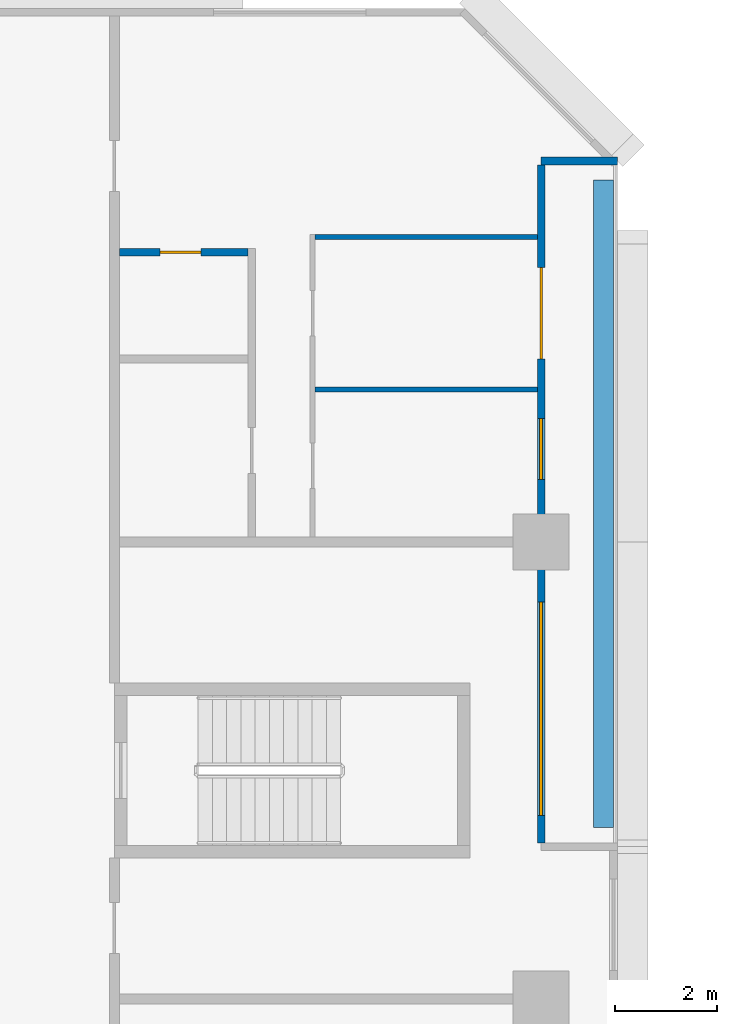
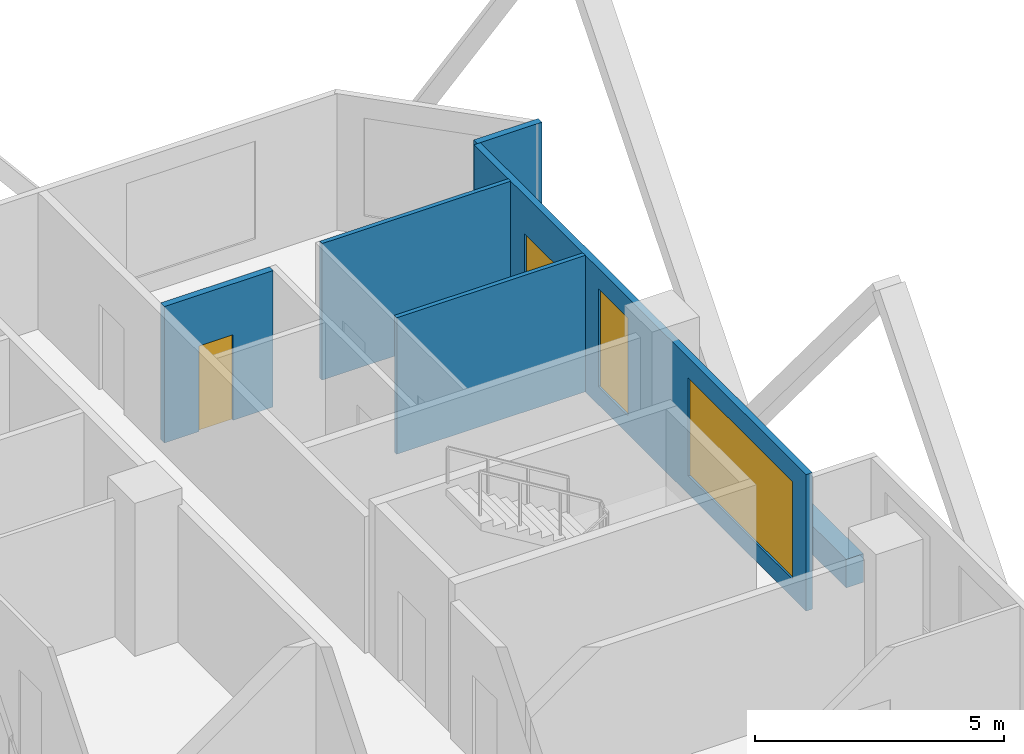
# One storey, part 11 of 16: 6 walls, 2 doors, 2 windows, 4 openings.
"""IFC4 building model written with IfcOpenShell, lengths in metres."""

from ifc_helpers import new_model, si_unit, direction, frame, frame_2d, origin, place, context, subcontext, project, spatial, rectangle, extrude, material, layer, layer_set, type_object, element, fill, save


model = new_model("IFC4")

# Units and contexts
model_context = context("Model", 3, precision=1e-05, world=origin(), true_north=direction((0.0, 1.0)))
body_context = subcontext(model_context, "Body", "Model", "MODEL_VIEW")
ifc_project = project(units=[si_unit("LENGTHUNIT", "METRE"), si_unit("AREAUNIT", "SQUARE_METRE"), si_unit("VOLUMEUNIT", "CUBIC_METRE"), si_unit("PLANEANGLEUNIT", "RADIAN"), si_unit("MASSUNIT", "GRAM", prefix="KILO")], contexts=[model_context])

# Site, building, storey
site_placement = place(None, origin())
site = spatial("IfcSite", under=ifc_project, at=site_placement, CompositionType="ELEMENT")
building_placement = place(site_placement, origin())
building = spatial("IfcBuilding", under=site, at=building_placement, Name="Chenar Terraces", CompositionType="ELEMENT")
storey_placement = place(building_placement, frame((0.0, 0.0, 78.89990234375)))
storey = spatial("IfcBuildingStorey", under=building, at=storey_placement, Name="L17", CompositionType="ELEMENT", Elevation=78.89990234375)

# Wall, openings, windows, door
ifc_material_1 = material(Name="Aluminium framed glazing", Category="aluminium")
ifc_layer_1 = layer(ifc_material_1, 0.14990234375)
ifc_layer_set_1 = layer_set([ifc_layer_1], Name="Aluminium framed glazing")
wall_type_1 = type_object("IfcWallType", Name="Glazed loggia back wall 150", PredefinedType="SOLIDWALL", material=ifc_layer_set_1)
wall_1_placement = place(storey_placement, frame((24.0, 48.074951171875, 0.0), z_axis=(0.0, 0.0, 1.0), x_axis=(0.0, 1.0, 0.0)))
wall_1 = element("IfcWall", 1, at=wall_1_placement, inside=storey, type_object=wall_type_1, Name="Glazed loggia back wall", PredefinedType="SOLIDWALL", context=body_context, shape_type="SweptSolid", body=[
    extrude(rectangle(XDim=13.35009765625, YDim=0.14990234375, at=frame_2d((6.675048828125, 0.0))), origin(), (0.0, 0.0, 1.0), 3.35009765625),
])
opening_1_placement = place(wall_1_placement, frame((0.53759765625, 0.0, 0.449951171875)))
opening_1 = element("IfcOpeningElement", 2, at=opening_1_placement, cuts=wall_1, Name="Opening W420x240", PredefinedType="OPENING", context=body_context, shape_type="SweptSolid", body=[
    extrude(rectangle(XDim=4.199951171875, YDim=2.39990234375, at=frame_2d((2.10009765625, 1.199951171875))), frame((0.0, 0.0849609375, 0.0), z_axis=(0.0, -1.0, 0.0), x_axis=(1.0, 0.0, 0.0)), (0.0, 0.0, 1.0), 0.169921875),
])
opening_2_placement = place(wall_1_placement, frame((7.14990234375, 0.0, 0.449951171875)))
opening_2 = element("IfcOpeningElement", 3, at=opening_2_placement, cuts=wall_1, Name="Opening W120x240", PredefinedType="OPENING", context=body_context, shape_type="SweptSolid", body=[
    extrude(rectangle(XDim=1.199951171875, YDim=2.39990234375, at=frame_2d((0.60009765625, 1.199951171875))), frame((0.0, 0.0849609375, 0.0), z_axis=(0.0, -1.0, 0.0), x_axis=(1.0, 0.0, 0.0)), (0.0, 0.0, 1.0), 0.169921875),
])
opening_3_placement = place(wall_1_placement, frame((9.52490234375, 0.0, 0.0)))
opening_3 = element("IfcOpeningElement", 4, at=opening_3_placement, cuts=wall_1, Name="Opening DL17-G1", PredefinedType="OPENING", context=body_context, shape_type="SweptSolid", body=[
    extrude(rectangle(XDim=1.800048828125, YDim=2.39990234375, at=frame_2d((0.89990234375, 1.199951171875))), frame((0.0, 0.0849609375, 0.0), z_axis=(0.0, -1.0, 0.0), x_axis=(1.0, 0.0, 0.0)), (0.0, 0.0, 1.0), 0.169921875),
])
ifc_material_2 = material(Name="Low emissivity double glazing, aluminium frame", Category="aluminium")
window_type_1 = type_object("IfcWindowType", Name="Fixed light 1200 x 2400", PartitioningType="SINGLE_PANEL", PredefinedType="WINDOW", material=ifc_material_2)
window_1_placement = place(opening_2_placement, origin())
window_1 = element("IfcWindow", 5, at=window_1_placement, inside=storey, type_object=window_type_1, Name="Window", OverallHeight=2.39990234375, OverallWidth=1.199951171875, PartitioningType="SINGLE_PANEL", PredefinedType="WINDOW", context=body_context, shape_type="SweptSolid", body=[
    extrude(rectangle(XDim=1.199951171875, YDim=2.39990234375, at=frame_2d((0.60009765625, 1.199951171875))), frame((0.0, 0.030029296875, 0.0), z_axis=(0.0, -1.0, 0.0), x_axis=(1.0, 0.0, 0.0)), (0.0, 0.0, 1.0), 0.06005859375),
])
fill(opening_2, window_1)
ifc_material_3 = material(Name="Low emissivity double glazing, aluminium frame", Category="aluminium")
window_type_2 = type_object("IfcWindowType", Name="Fixed light 4200 x 2400", PartitioningType="SINGLE_PANEL", PredefinedType="WINDOW", material=ifc_material_3)
window_2_placement = place(opening_1_placement, origin())
window_2 = element("IfcWindow", 6, at=window_2_placement, inside=storey, type_object=window_type_2, Name="Window", OverallHeight=2.39990234375, OverallWidth=4.199951171875, PartitioningType="SINGLE_PANEL", PredefinedType="WINDOW", context=body_context, shape_type="SweptSolid", body=[
    extrude(rectangle(XDim=4.199951171875, YDim=2.39990234375, at=frame_2d((2.10009765625, 1.199951171875))), frame((0.0, 0.030029296875, 0.0), z_axis=(0.0, -1.0, 0.0), x_axis=(1.0, 0.0, 0.0)), (0.0, 0.0, 1.0), 0.06005859375),
])
fill(opening_1, window_2)
ifc_material_4 = material(Name="Low emissivity double glazing, aluminium frame", Category="aluminium")
door_type_1 = type_object("IfcDoorType", Name="Loggia glazed double door 1800 x 2400", OperationType="DOUBLE_DOOR_SINGLE_SWING", PredefinedType="DOOR", material=ifc_material_4)
door_1_placement = place(opening_3_placement, frame((1.800048828125, 0.0, 0.0), z_axis=(0.0, 0.0, 1.0), x_axis=(-1.0, 0.0, 0.0)))
door_1 = element("IfcDoor", 7, at=door_1_placement, inside=storey, type_object=door_type_1, Name="Loggia glazed door", OperationType="DOUBLE_DOOR_SINGLE_SWING", OverallHeight=2.39990234375, OverallWidth=1.800048828125, PredefinedType="DOOR", context=body_context, shape_type="SweptSolid", body=[
    extrude(rectangle(XDim=1.800048828125, YDim=2.39990234375, at=frame_2d((0.89990234375, 1.199951171875))), frame((0.0, 0.02490234375, 0.0), z_axis=(0.0, -1.0, 0.0), x_axis=(1.0, 0.0, 0.0)), (0.0, 0.0, 1.0), 0.050048828125),
])
fill(opening_3, door_1)

# Walls
ifc_material_5 = material(Name="Gypsum board on steel studs", Category="steel")
ifc_layer_2 = layer(ifc_material_5, 0.10009765625)
ifc_layer_set_2 = layer_set([ifc_layer_2], Name="Gypsum board on steel studs")
wall_type_2 = type_object("IfcWallType", Name="Gypsum partition 100", PredefinedType="PARTITIONING", material=ifc_layer_set_2)
for number, where, z_axis, x_axis, name in (
    (8, (19.550048828125, 57.0, 0.0), (0.0, 0.0, 1.0), (1.0, 0.0, 0.0), "Partition L17-052"),
    (9, (19.550048828125, 60.0, 0.0), (0.0, 0.0, 1.0), (1.0, 0.0, 0.0), "Partition L17-053"),
):
    element("IfcWall", number, at=place(storey_placement, frame(where, z_axis=z_axis, x_axis=x_axis)), inside=storey, type_object=wall_type_2, Name=name, PredefinedType="PARTITIONING", context=body_context, shape_type="SweptSolid", body=[
        extrude(rectangle(XDim=4.3759765625, YDim=0.10009765625, at=frame_2d((2.18798828125, 0.0))), origin(), (0.0, 0.0, 1.0), 3.35009765625),
    ])
ifc_material_6 = material(Name="Terracotta cladding on insulated backing", Category="masonry")
ifc_layer_3 = layer(ifc_material_6, 0.14990234375)
ifc_layer_set_3 = layer_set([ifc_layer_3], Name="Terracotta cladding on insulated backing")
wall_type_3 = type_object("IfcWallType", Name="Loggia return wall 150", PredefinedType="SOLIDWALL", material=ifc_layer_set_3)
wall_2_placement = place(storey_placement, frame((25.5, 61.5, 0.0), z_axis=(0.0, 0.0, 1.0), x_axis=(-1.0, 0.0, 0.0)))
element("IfcWall", 10, at=wall_2_placement, inside=storey, type_object=wall_type_3, Name="Loggia return wall", PredefinedType="SOLIDWALL", context=body_context, shape_type="SweptSolid", body=[
    extrude(rectangle(XDim=1.5, YDim=0.14990234375, at=frame_2d((0.75, 0.0))), origin(), (0.0, 0.0, 1.0), 3.35009765625),
])
ifc_material_7 = material(Name="GRP planter trough")
ifc_layer_4 = layer(ifc_material_7, 0.39990234375)
ifc_layer_set_4 = layer_set([ifc_layer_4], Name="GRP planter trough")
wall_type_4 = type_object("IfcWallType", Name="Vertical greenery planter 400", PredefinedType="SOLIDWALL", material=ifc_layer_set_4)
wall_3_placement = place(storey_placement, frame((25.22900390625, 48.375, 0.0), z_axis=(0.0, 0.0, 1.0), x_axis=(0.0, 1.0, 0.0)))
element("IfcWall", 11, at=wall_3_placement, inside=storey, type_object=wall_type_4, Name="Vertical greenery planter", PredefinedType="SOLIDWALL", context=body_context, shape_type="SweptSolid", body=[
    extrude(rectangle(XDim=12.75, YDim=0.39990234375, at=frame_2d((6.375, 0.0))), origin(), (0.0, 0.0, 1.0), 0.7001953125),
])

# Wall, opening, door
ifc_material_8 = material(Name="Moisture-resistant gypsum board on steel studs", Category="steel")
ifc_layer_5 = layer(ifc_material_8, 0.14990234375)
ifc_layer_set_5 = layer_set([ifc_layer_5], Name="Moisture-resistant gypsum board on steel studs")
wall_type_5 = type_object("IfcWallType", Name="Wet-room partition 150", PredefinedType="PARTITIONING", material=ifc_layer_set_5)
wall_4_placement = place(storey_placement, frame((15.699951171875, 59.699951171875, 0.0), z_axis=(0.0, 0.0, 1.0), x_axis=(1.0, 0.0, 0.0)))
wall_4 = element("IfcWall", 12, at=wall_4_placement, inside=storey, type_object=wall_type_5, Name="Partition L17-047", PredefinedType="PARTITIONING", context=body_context, shape_type="SweptSolid", body=[
    extrude(rectangle(XDim=2.525146484375, YDim=0.14990234375, at=frame_2d((1.2626953125, 0.0))), origin(), (0.0, 0.0, 1.0), 3.35009765625),
])
opening_4_placement = place(wall_4_placement, frame((0.800048828125, 0.0, 0.0)))
opening_4 = element("IfcOpeningElement", 13, at=opening_4_placement, cuts=wall_4, Name="Opening DL17-35", PredefinedType="OPENING", context=body_context, shape_type="SweptSolid", body=[
    extrude(rectangle(XDim=0.800048828125, YDim=2.10009765625, at=frame_2d((0.39990234375, 1.050048828125))), frame((0.0, 0.0849609375, 0.0), z_axis=(0.0, -1.0, 0.0), x_axis=(1.0, 0.0, 0.0)), (0.0, 0.0, 1.0), 0.169921875),
])
ifc_material_9 = material(Name="Veneered timber door leaf", Category="wood")
door_type_2 = type_object("IfcDoorType", Name="Door 800 x 2100", OperationType="SINGLE_SWING_LEFT", PredefinedType="DOOR", material=ifc_material_9)
door_2_placement = place(opening_4_placement, frame((0.800048828125, 0.0, 0.0), z_axis=(0.0, 0.0, 1.0), x_axis=(-1.0, 0.0, 0.0)))
door_2 = element("IfcDoor", 14, at=door_2_placement, inside=storey, type_object=door_type_2, Name="Door DL17-35", OperationType="SINGLE_SWING_RIGHT", OverallHeight=2.10009765625, OverallWidth=0.800048828125, PredefinedType="DOOR", context=body_context, shape_type="SweptSolid", body=[
    extrude(rectangle(XDim=0.800048828125, YDim=2.10009765625, at=frame_2d((0.39990234375, 1.050048828125))), frame((0.0, 0.02490234375, 0.0), z_axis=(0.0, -1.0, 0.0), x_axis=(1.0, 0.0, 0.0)), (0.0, 0.0, 1.0), 0.050048828125),
])
fill(opening_4, door_2)

save(model, "model.ifc")
